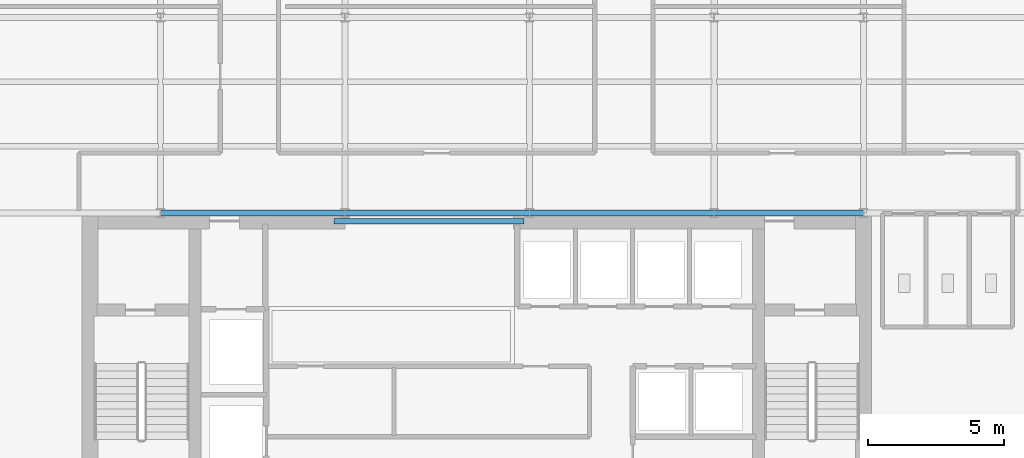
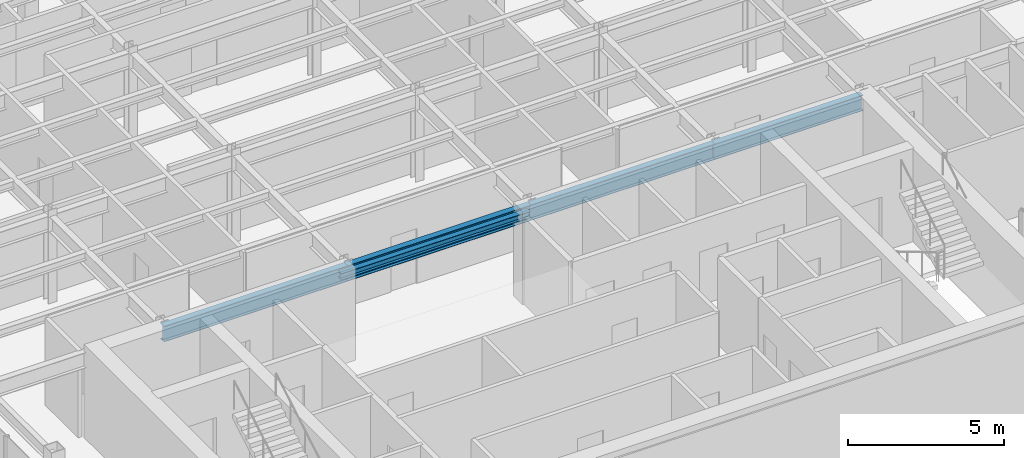
# One storey, part 4 of 22: 5 beams.
"""IFC4 building model written with IfcOpenShell, lengths in metres."""

from ifc_helpers import new_model, si_unit, derived_unit, direction, frame, origin, origin_2d, place, context, subcontext, project, spatial, i_section, extrude, source, transform, mapped, material, material_profile, profile_set, type_object, element, save


model = new_model("IFC4")

# Units and contexts
model_context = context("Model", 3, precision=1e-05, world=origin(), true_north=direction((0.0, 1.0)))
body_context = subcontext(model_context, "Body", "Model", "MODEL_VIEW")
ifc_project = project(units=[si_unit("LENGTHUNIT", "METRE"), si_unit("AREAUNIT", "SQUARE_METRE"), si_unit("VOLUMEUNIT", "CUBIC_METRE"), si_unit("PLANEANGLEUNIT", "RADIAN"), si_unit("MASSUNIT", "GRAM", prefix="KILO"), derived_unit("THERMALTRANSMITTANCEUNIT", [(si_unit("POWERUNIT", "WATT"), 1), (si_unit("LENGTHUNIT", "METRE"), -2), (si_unit("THERMODYNAMICTEMPERATUREUNIT", "KELVIN"), -1)])], contexts=[model_context])

# Site, building, storey
site_placement = place(None, origin())
site = spatial("IfcSite", under=ifc_project, at=site_placement, CompositionType="ELEMENT")
building_placement = place(site_placement, origin())
building = spatial("IfcBuilding", under=site, at=building_placement, Name="Skarnbrae Concourse Arena and Tower", CompositionType="ELEMENT")
storey_placement = place(building_placement, frame((0.0, 0.0, 277.050048828125)))
storey = spatial("IfcBuildingStorey", under=building, at=storey_placement, Name="L72", CompositionType="ELEMENT", Elevation=277.050048828125)

# Beams
ifc_material = material(Name="Steel CSA G40.21 350W", Category="steel")
ifc_material_profile_1 = material_profile(ifc_material, i_section(OverallWidth=0.202880859375, OverallDepth=0.251953125, WebThickness=0.008056640625, FlangeThickness=0.013427734375, at=origin_2d()), Name="W250X58")
ifc_profile_set_1 = profile_set([ifc_material_profile_1], Name="Steel CSA G40.21 350W")
beam_type_1 = type_object("IfcBeamType", Name="BM-LINTEL-W250X58", PredefinedType="LINTEL", material=ifc_profile_set_1)
shared_shape_1 = source(origin(), body_context, "Body", "SweptSolid", [
    extrude(i_section(OverallWidth=0.202880859375, OverallDepth=0.251953125, WebThickness=0.008056640625, FlangeThickness=0.013427734375, at=origin_2d()), origin(), (0.0, 0.0, 1.0), 7.0),
])
beam_1_placement = place(storey_placement, frame((14.0, 13.699951171875, 3.27392578125), z_axis=(1.0, 0.0, 0.0), x_axis=(0.0, 1.0, 0.0)))
element("IfcBeam", 1, at=beam_1_placement, inside=storey, type_object=beam_type_1, Name="L72 Core portal coupling lintel", PredefinedType="LINTEL", context=body_context, shape_type="MappedRepresentation", body=[
    mapped(shared_shape_1, transform((0.0, 0.0, 0.0))),
])
ifc_material_profile_2 = material_profile(ifc_material, i_section(OverallWidth=0.22802734375, OverallDepth=0.60791015625, WebThickness=0.01123046875, FlangeThickness=0.017333984375, at=origin_2d()), Name="W610X113")
ifc_profile_set_2 = profile_set([ifc_material_profile_2], Name="Steel CSA G40.21 350W")
beam_type_2 = type_object("IfcBeamType", Name="BM-GIRD-W610X113", PredefinedType="BEAM", material=ifc_profile_set_2)
shared_shape_2 = source(origin(), body_context, "Body", "SweptSolid", [
    extrude(i_section(OverallWidth=0.22802734375, OverallDepth=0.60791015625, WebThickness=0.01123046875, FlangeThickness=0.017333984375, at=origin_2d()), origin(), (0.0, 0.0, 1.0), 6.7998046875),
])
beam_2_placement = place(storey_placement, frame((7.60009765625, 14.0, 3.095947265625), z_axis=(1.0, 0.0, 0.0), x_axis=(0.0, 1.0, 0.0)))
element("IfcBeam", 2, at=beam_2_placement, inside=storey, type_object=beam_type_2, Name="L72 Primary E-W girder Y14.0-2", PredefinedType="BEAM", context=body_context, shape_type="MappedRepresentation", body=[
    mapped(shared_shape_2, transform((0.0, 0.0, 0.0))),
])
shared_shape_3 = source(origin(), body_context, "Body", "SweptSolid", [
    extrude(i_section(OverallWidth=0.22802734375, OverallDepth=0.60791015625, WebThickness=0.01123046875, FlangeThickness=0.017333984375, at=origin_2d()), origin(), (0.0, 0.0, 1.0), 6.800048828125),
])
for number, where, z_axis, x_axis, name in (
    (3, (14.39990234375, 14.0, 3.095947265625), (1.0, 0.0, 0.0), (0.0, 1.0, 0.0), "L72 Primary E-W girder Y14.0-3"),
    (4, (21.199951171875, 14.0, 3.095947265625), (1.0, 0.0, 0.0), (0.0, 1.0, 0.0), "L72 Primary E-W girder Y14.0-4"),
):
    element("IfcBeam", number, at=place(storey_placement, frame(where, z_axis=z_axis, x_axis=x_axis)), inside=storey, type_object=beam_type_2, Name=name, PredefinedType="BEAM", context=body_context, shape_type="MappedRepresentation", body=[
        mapped(shared_shape_3, transform((0.0, 0.0, 0.0))),
    ])
shared_shape_4 = source(origin(), body_context, "Body", "SweptSolid", [
    extrude(i_section(OverallWidth=0.22802734375, OverallDepth=0.60791015625, WebThickness=0.01123046875, FlangeThickness=0.017333984375, at=origin_2d()), origin(), (0.0, 0.0, 1.0), 5.5),
])
beam_3_placement = place(storey_placement, frame((28.0, 14.0, 3.095947265625), z_axis=(1.0, 0.0, 0.0), x_axis=(0.0, 1.0, 0.0)))
element("IfcBeam", 5, at=beam_3_placement, inside=storey, type_object=beam_type_2, Name="L72 Primary E-W girder Y14.0-5", PredefinedType="BEAM", context=body_context, shape_type="MappedRepresentation", body=[
    mapped(shared_shape_4, transform((0.0, 0.0, 0.0))),
])

save(model, "model.ifc")
